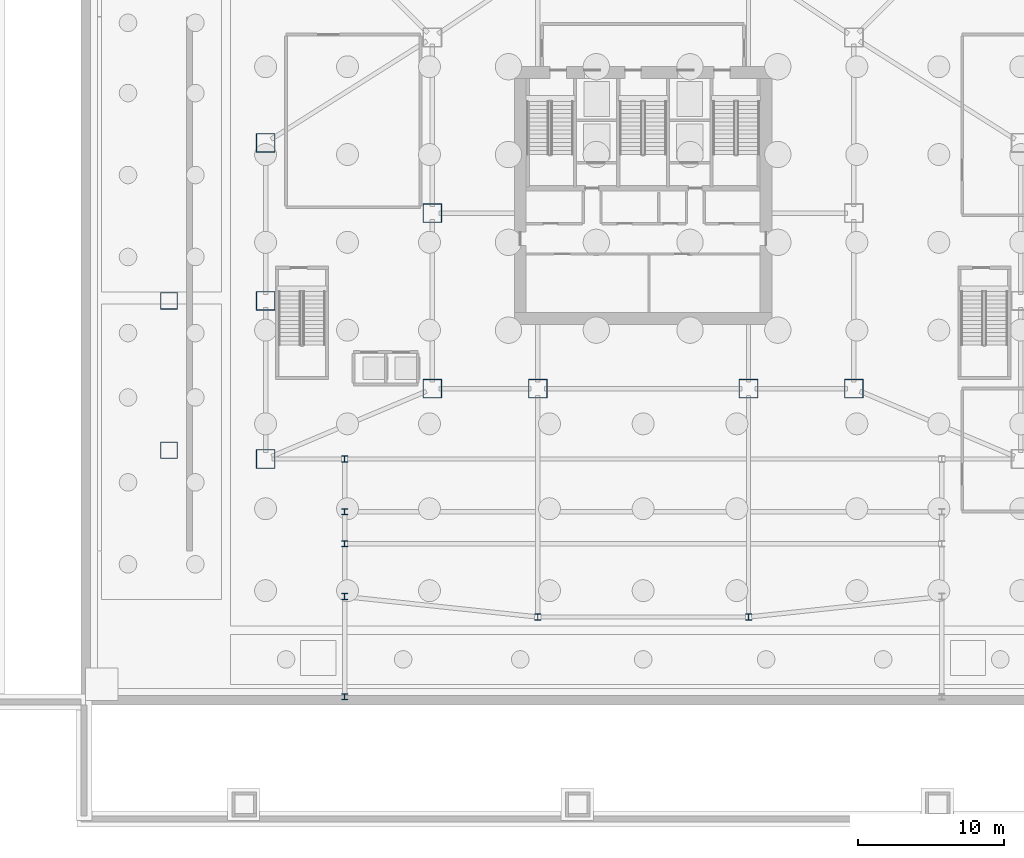
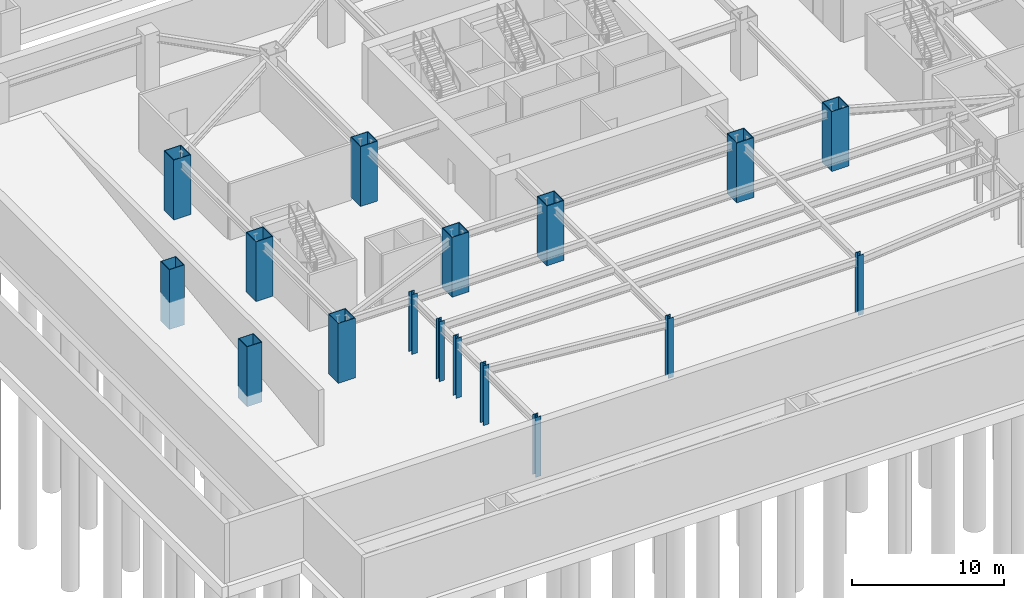
# One storey, part 2 of 15: 17 columns.
"""IFC4 building model written with IfcOpenShell, lengths in metres."""

from ifc_helpers import new_model, si_unit, direction, frame, origin, origin_2d, place, context, subcontext, project, spatial, hollow_rectangle, i_section, extrude, material, material_profile, profile_set, type_object, element, save


model = new_model("IFC4")

# Units and contexts
model_context = context("Model", 3, precision=1e-05, world=origin(), true_north=direction((0.0, 1.0)))
body_context = subcontext(model_context, "Body", "Model", "MODEL_VIEW")
ifc_project = project(units=[si_unit("LENGTHUNIT", "METRE"), si_unit("AREAUNIT", "SQUARE_METRE"), si_unit("VOLUMEUNIT", "CUBIC_METRE"), si_unit("PLANEANGLEUNIT", "RADIAN"), si_unit("MASSUNIT", "GRAM", prefix="KILO")], contexts=[model_context])

# Site, building, storey
site_placement = place(None, origin())
site = spatial("IfcSite", under=ifc_project, at=site_placement, CompositionType="ELEMENT")
building_placement = place(site_placement, origin())
building = spatial("IfcBuilding", under=site, at=building_placement, Name="Haolan Belvedere Tower", CompositionType="ELEMENT")
storey_placement = place(building_placement, frame((0.0, 0.0, -9.60009765625)))
storey = spatial("IfcBuildingStorey", under=building, at=storey_placement, Name="B2", CompositionType="ELEMENT", Elevation=-9.60009765625)

# Columns
ifc_material_1 = material(Name="Steel Q355B", Category="steel")
ifc_material_profile_1 = material_profile(ifc_material_1, hollow_rectangle(XDim=1.14990234375, YDim=1.14990234375, WallThickness=0.0419921875, at=origin_2d()), Name="Steel Q355B")
ifc_profile_set_1 = profile_set([ifc_material_profile_1], Name="Steel Q355B")
column_type_1 = type_object("IfcColumnType", Name="COL-BOX1150x1150x42", PredefinedType="COLUMN", material=ifc_profile_set_1)
for number, where, z_axis, x_axis, name in (
    (1, (6.0, 17.39990234375, 0.0), (0.0, 0.0, 1.0), (1.0, 0.0, 0.0), "B2 column MC-T1-SW (BOX1150x1150x42)"),
    (2, (6.0, 27.60009765625, 0.0), (0.0, 0.0, 1.0), (1.0, 0.0, 0.0), "B2 column MC-T1-NW (BOX1150x1150x42)"),
):
    element("IfcColumn", number, at=place(storey_placement, frame(where, z_axis=z_axis, x_axis=x_axis)), inside=storey, type_object=column_type_1, Name=name, PredefinedType="COLUMN", context=body_context, shape_type="SweptSolid", body=[
        extrude(hollow_rectangle(XDim=1.14990234375, YDim=1.14990234375, WallThickness=0.0419921875, at=origin_2d()), origin(), (0.0, 0.0, 1.0), 4.800048828125),
    ])
ifc_material_profile_2 = material_profile(ifc_material_1, hollow_rectangle(XDim=1.300048828125, YDim=1.300048828125, WallThickness=0.048095703125, at=origin_2d()), Name="Steel Q355B")
ifc_profile_set_2 = profile_set([ifc_material_profile_2], Name="Steel Q355B")
column_type_2 = type_object("IfcColumnType", Name="COL-BOX1300x1300x48", PredefinedType="COLUMN", material=ifc_profile_set_2)
for number, where, z_axis, x_axis, name in (
    (3, (24.0, 21.60009765625, 0.0), (0.0, 0.0, 1.0), (1.0, 0.0, 0.0), "B2 column MC-T3-SW (BOX1300x1300x48)"),
    (4, (24.0, 33.60009765625, 0.0), (0.0, 0.0, 1.0), (1.0, 0.0, 0.0), "B2 column MC-T3-MW (BOX1300x1300x48)"),
    (5, (52.800048828125, 21.60009765625, 0.0), (0.0, 0.0, 1.0), (1.0, 0.0, 0.0), "B2 column MC-T3-SE (BOX1300x1300x48)"),
    (6, (31.199951171875, 21.60009765625, 0.0), (0.0, 0.0, 1.0), (1.0, 0.0, 0.0), "B2 column MC-T3-S1 (BOX1300x1300x48)"),
    (7, (45.60009765625, 21.60009765625, 0.0), (0.0, 0.0, 1.0), (1.0, 0.0, 0.0), "B2 column MC-T3-S2 (BOX1300x1300x48)"),
    (8, (12.60009765625, 16.800048828125, 0.0), (0.0, 0.0, 1.0), (1.0, 0.0, 0.0), "B2 column MC-T2-SW (BOX1300x1300x48)"),
    (9, (12.60009765625, 27.60009765625, 0.0), (0.0, 0.0, 1.0), (1.0, 0.0, 0.0), "B2 column MC-T2-MW (BOX1300x1300x48)"),
    (10, (12.60009765625, 38.39990234375, 0.0), (0.0, 0.0, 1.0), (1.0, 0.0, 0.0), "B2 column MC-T2-NW (BOX1300x1300x48)"),
):
    element("IfcColumn", number, at=place(storey_placement, frame(where, z_axis=z_axis, x_axis=x_axis)), inside=storey, type_object=column_type_2, Name=name, PredefinedType="COLUMN", context=body_context, shape_type="SweptSolid", body=[
        extrude(hollow_rectangle(XDim=1.300048828125, YDim=1.300048828125, WallThickness=0.048095703125, at=origin_2d()), origin(), (0.0, 0.0, 1.0), 4.800048828125),
    ])
ifc_material_2 = material(Name="Steel Q390GJC", Category="steel")
ifc_material_profile_3 = material_profile(ifc_material_2, i_section(OverallWidth=0.406982421875, OverallDepth=0.427978515625, WebThickness=0.02001953125, FlangeThickness=0.034912109375, FilletRadius=0.02197265625, at=origin_2d()), Name="Steel Q390GJC")
ifc_profile_set_3 = profile_set([ifc_material_profile_3], Name="Steel Q390GJC")
column_type_3 = type_object("IfcColumnType", Name="COL-HW428x407x20x35", PredefinedType="COLUMN", material=ifc_profile_set_3)
for number, where, z_axis, x_axis, name in (
    (11, (18.0, 0.550048828125, 0.0), (0.0, 0.0, 1.0), (1.0, 0.0, 0.0), "B2 column PC-S0-W (HW428x407x20x35)"),
    (12, (18.0, 7.39990234375, 0.0), (0.0, 0.0, 1.0), (1.0, 0.0, 0.0), "B2 column PC-SW-1 (HW428x407x20x35)"),
    (13, (31.199951171875, 6.0, 0.0), (0.0, 0.0, 1.0), (1.0, 0.0, 0.0), "B2 column PC-SM-1 (HW428x407x20x35)"),
    (14, (45.60009765625, 6.0, 0.0), (0.0, 0.0, 1.0), (1.0, 0.0, 0.0), "B2 column PC-SM-2 (HW428x407x20x35)"),
    (15, (18.0, 11.0, 0.0), (0.0, 0.0, 1.0), (1.0, 0.0, 0.0), "B2 column PC-CS2-W (HW428x407x20x35)"),
    (16, (18.0, 13.199951171875, 0.0), (0.0, 0.0, 1.0), (1.0, 0.0, 0.0), "B2 column PC-CS3-W (HW428x407x20x35)"),
    (17, (18.0, 16.800048828125, 0.0), (0.0, 0.0, 1.0), (1.0, 0.0, 0.0), "B2 column PC-CS4-W (HW428x407x20x35)"),
):
    element("IfcColumn", number, at=place(storey_placement, frame(where, z_axis=z_axis, x_axis=x_axis)), inside=storey, type_object=column_type_3, Name=name, PredefinedType="COLUMN", context=body_context, shape_type="SweptSolid", body=[
        extrude(i_section(OverallWidth=0.406982421875, OverallDepth=0.427978515625, WebThickness=0.02001953125, FlangeThickness=0.034912109375, FilletRadius=0.02197265625, at=origin_2d()), origin(), (0.0, 0.0, 1.0), 4.800048828125),
    ])

save(model, "model.ifc")
